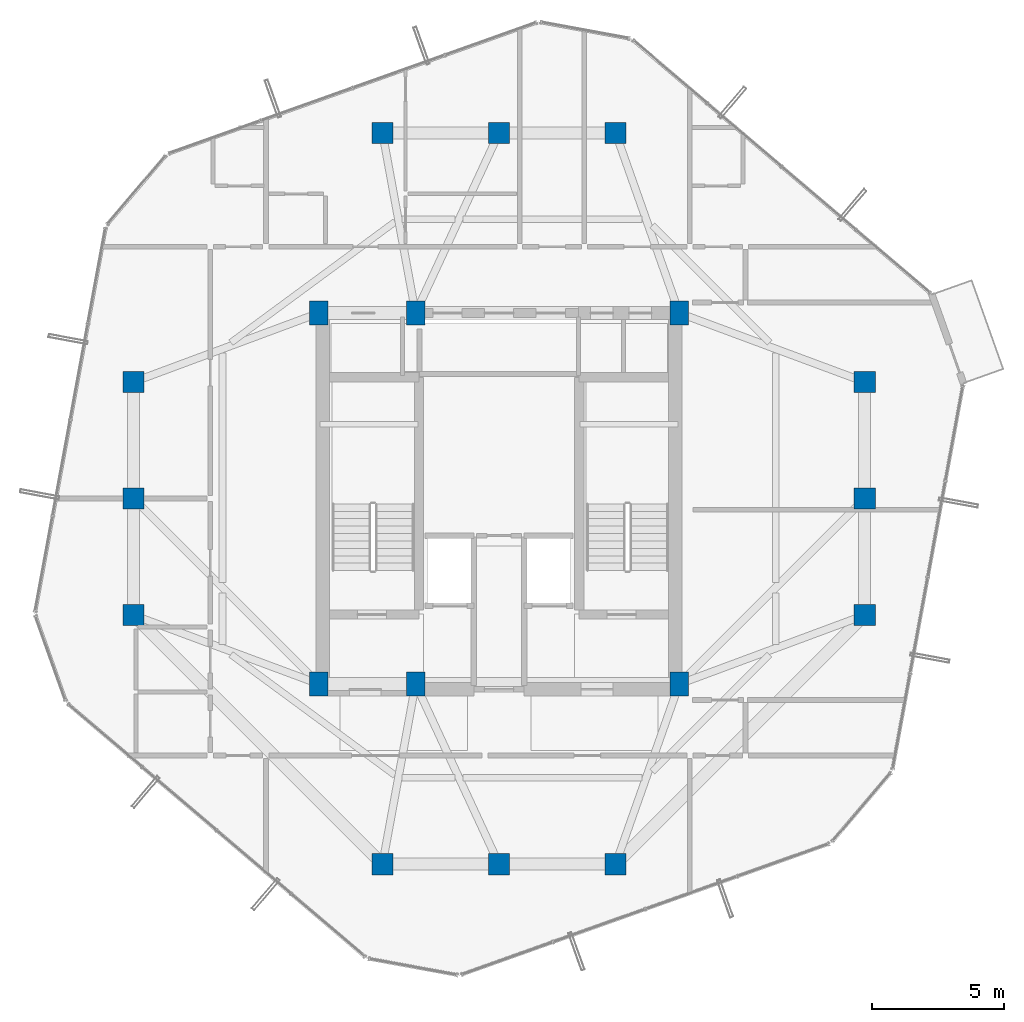
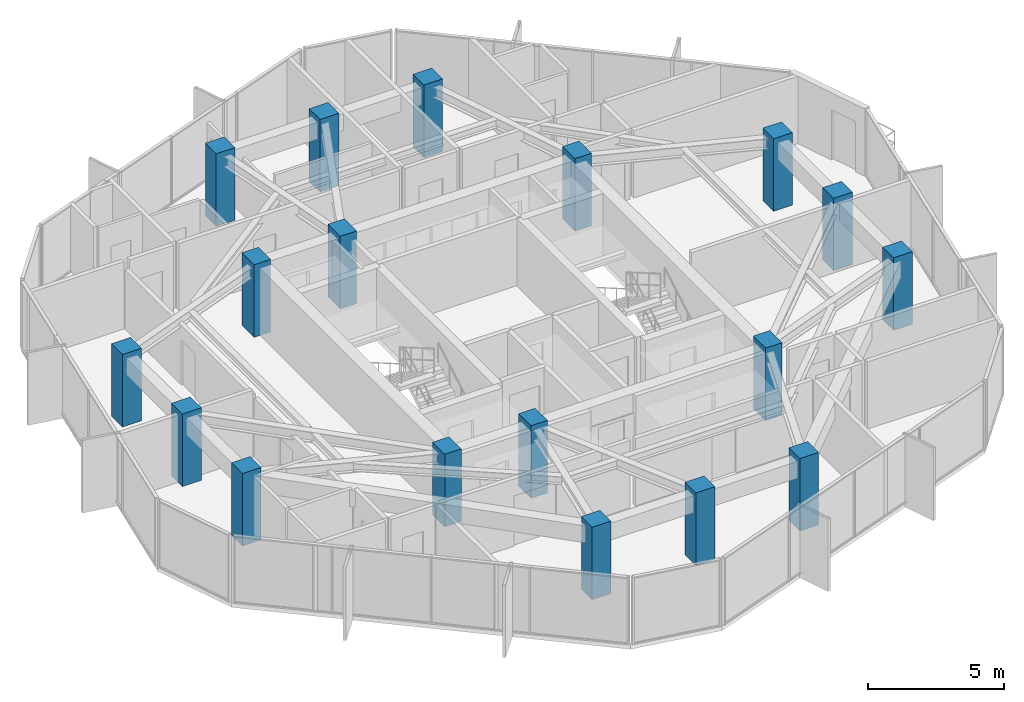
# One storey, part 1 of 29: 18 columns.
"""IFC4 building model written with IfcOpenShell, lengths in metres."""

from ifc_helpers import new_model, si_unit, direction, frame, origin, origin_2d, place, context, subcontext, project, spatial, rectangle, extrude, material, material_profile, profile_set, type_object, element, save


model = new_model("IFC4")

# Units and contexts
model_context = context("Model", 3, precision=1e-05, world=origin(), true_north=direction((0.0, 1.0)))
body_context = subcontext(model_context, "Body", "Model", "MODEL_VIEW")
ifc_project = project(units=[si_unit("LENGTHUNIT", "METRE"), si_unit("AREAUNIT", "SQUARE_METRE"), si_unit("VOLUMEUNIT", "CUBIC_METRE"), si_unit("PLANEANGLEUNIT", "RADIAN"), si_unit("MASSUNIT", "GRAM", prefix="KILO")], contexts=[model_context])

# Site, building, storey
site_placement = place(None, origin())
site = spatial("IfcSite", under=ifc_project, at=site_placement, CompositionType="ELEMENT")
building_placement = place(site_placement, origin())
building = spatial("IfcBuilding", under=site, at=building_placement, Name="Veraguas Prism Commons", CompositionType="ELEMENT")
storey_placement = place(building_placement, frame((0.0, 0.0, 244.75)))
storey = spatial("IfcBuildingStorey", under=building, at=storey_placement, Name="L69", CompositionType="ELEMENT", Elevation=244.75)

# Columns
ifc_material = material(Name="Concrete C50/60", Category="concrete")
ifc_material_profile_1 = material_profile(ifc_material, rectangle(XDim=0.800048828125, YDim=0.800048828125, at=origin_2d()), Name="RC800X800")
ifc_profile_set_1 = profile_set([ifc_material_profile_1], Name="Concrete C50/60")
column_type_1 = type_object("IfcColumnType", Name="Column Tube Z4 RC 800x800", PredefinedType="COLUMN", material=ifc_profile_set_1)
for number, where, z_axis, x_axis, name in (
    (1, (37.800048828125, 19.60009765625, 0.0), (0.0, 0.0, 1.0), (1.0, 0.0, 0.0), "Tower Perimeter Column L69-TB01"),
    (2, (37.800048828125, 24.0, 0.0), (0.0, 0.0, 1.0), (1.0, 0.0, 0.0), "Tower Perimeter Column L69-TB02"),
    (3, (37.800048828125, 28.39990234375, 0.0), (0.0, 0.0, 1.0), (1.0, 0.0, 0.0), "Tower Perimeter Column L69-TB03"),
    (4, (28.39990234375, 37.800048828125, 0.0), (0.0, 0.0, 1.0), (1.0, 0.0, 0.0), "Tower Perimeter Column L69-TB04"),
    (5, (24.0, 37.800048828125, 0.0), (0.0, 0.0, 1.0), (1.0, 0.0, 0.0), "Tower Perimeter Column L69-TB05"),
    (6, (19.60009765625, 37.800048828125, 0.0), (0.0, 0.0, 1.0), (1.0, 0.0, 0.0), "Tower Perimeter Column L69-TB06"),
    (7, (10.199951171875, 28.39990234375, 0.0), (0.0, 0.0, 1.0), (1.0, 0.0, 0.0), "Tower Perimeter Column L69-TB07"),
    (8, (10.199951171875, 24.0, 0.0), (0.0, 0.0, 1.0), (1.0, 0.0, 0.0), "Tower Perimeter Column L69-TB08"),
    (9, (10.199951171875, 19.60009765625, 0.0), (0.0, 0.0, 1.0), (1.0, 0.0, 0.0), "Tower Perimeter Column L69-TB09"),
    (10, (19.60009765625, 10.199951171875, 0.0), (0.0, 0.0, 1.0), (1.0, 0.0, 0.0), "Tower Perimeter Column L69-TB10"),
    (11, (24.0, 10.199951171875, 0.0), (0.0, 0.0, 1.0), (1.0, 0.0, 0.0), "Tower Perimeter Column L69-TB11"),
    (12, (28.39990234375, 10.199951171875, 0.0), (0.0, 0.0, 1.0), (1.0, 0.0, 0.0), "Tower Perimeter Column L69-TB12"),
):
    element("IfcColumn", number, at=place(storey_placement, frame(where, z_axis=z_axis, x_axis=x_axis)), inside=storey, type_object=column_type_1, Name=name, PredefinedType="COLUMN", context=body_context, shape_type="SweptSolid", body=[
        extrude(rectangle(XDim=0.800048828125, YDim=0.800048828125, at=origin_2d()), origin(), (0.0, 0.0, 1.0), 3.25),
    ])
ifc_material_profile_2 = material_profile(ifc_material, rectangle(XDim=0.699951171875, YDim=0.89990234375, at=origin_2d()), Name="RC700X900")
ifc_profile_set_2 = profile_set([ifc_material_profile_2], Name="Concrete C50/60")
column_type_2 = type_object("IfcColumnType", Name="Pilaster Core Upper RC 700x900", PredefinedType="PILASTER", material=ifc_profile_set_2)
for number, where, z_axis, x_axis, name in (
    (13, (17.199951171875, 17.0, 0.0), (0.0, 0.0, 1.0), (1.0, 0.0, 0.0), "Core Pilaster Column L69-CR1"),
    (14, (20.85009765625, 17.0, 0.0), (0.0, 0.0, 1.0), (1.0, 0.0, 0.0), "Core Pilaster Column L69-CR2"),
    (15, (30.800048828125, 17.0, 0.0), (0.0, 0.0, 1.0), (1.0, 0.0, 0.0), "Core Pilaster Column L69-CR3"),
    (16, (17.199951171875, 31.0, 0.0), (0.0, 0.0, 1.0), (1.0, 0.0, 0.0), "Core Pilaster Column L69-CR4"),
    (17, (20.85009765625, 31.0, 0.0), (0.0, 0.0, 1.0), (1.0, 0.0, 0.0), "Core Pilaster Column L69-CR5"),
    (18, (30.800048828125, 31.0, 0.0), (0.0, 0.0, 1.0), (1.0, 0.0, 0.0), "Core Pilaster Column L69-CR6"),
):
    element("IfcColumn", number, at=place(storey_placement, frame(where, z_axis=z_axis, x_axis=x_axis)), inside=storey, type_object=column_type_2, Name=name, PredefinedType="PILASTER", context=body_context, shape_type="SweptSolid", body=[
        extrude(rectangle(XDim=0.699951171875, YDim=0.89990234375, at=origin_2d()), origin(), (0.0, 0.0, 1.0), 3.25),
    ])

save(model, "model.ifc")
